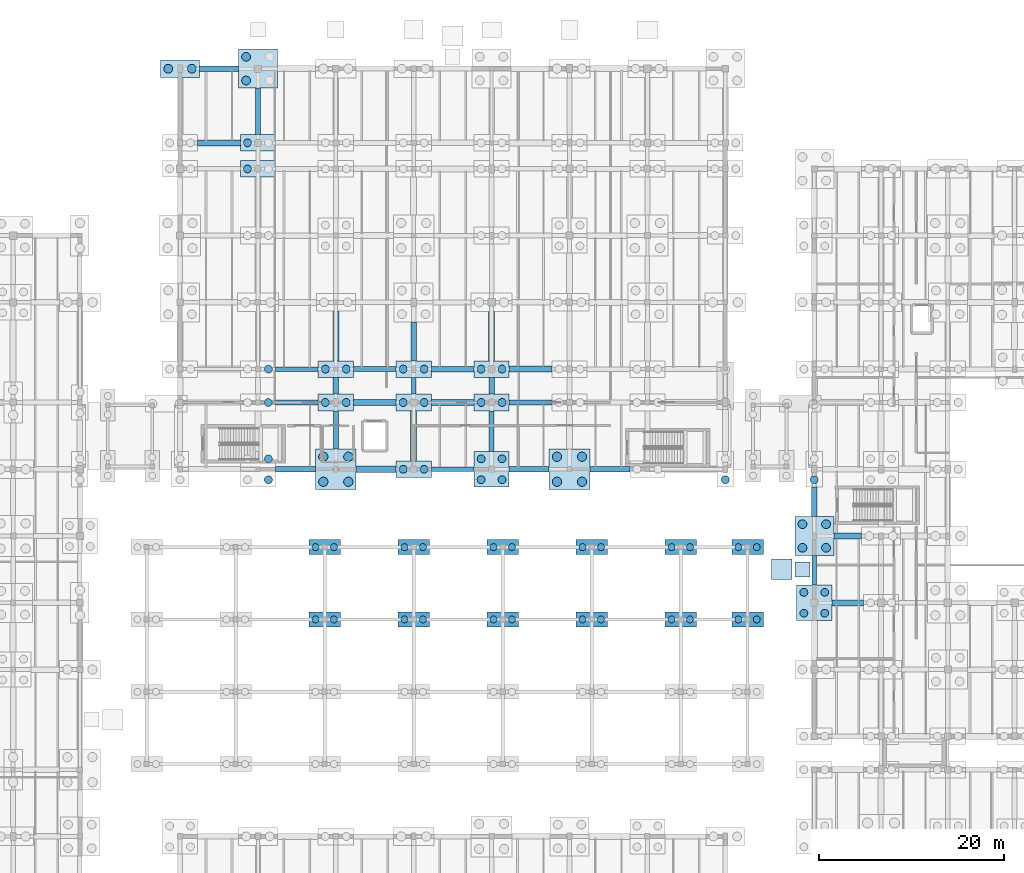
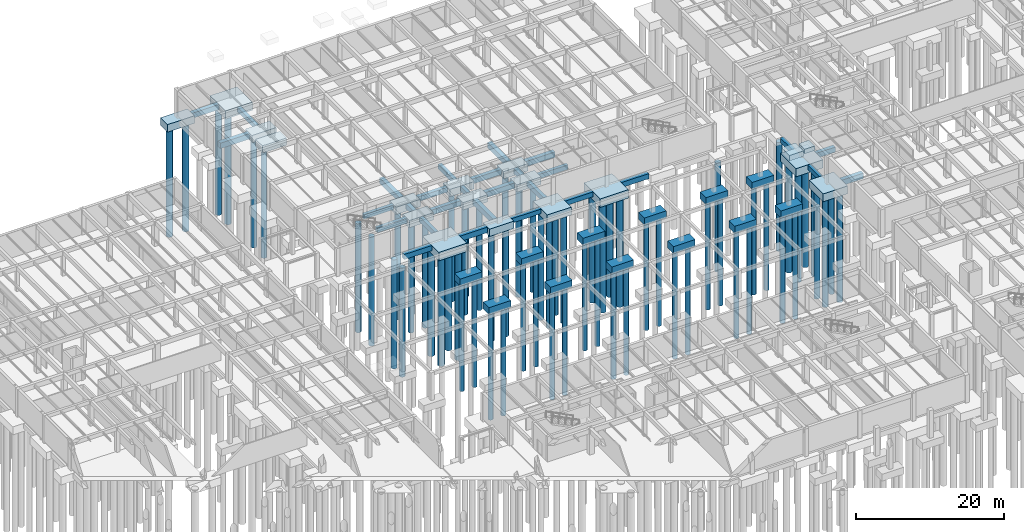
# One storey, part 9 of 63: 70 piles, 59 footings.
"""IFC4 building model written with IfcOpenShell, lengths in metres."""

from ifc_helpers import new_model, si_unit, direction, frame, origin, origin_2d, place, context, subcontext, project, spatial, rectangle, circle, extrude, material, material_profile, profile_set, type_object, element, save


model = new_model("IFC4")

# Units and contexts
model_context = context("Model", 3, precision=1e-05, world=origin(), true_north=direction((0.0, 1.0)))
body_context = subcontext(model_context, "Body", "Model", "MODEL_VIEW")
ifc_project = project(units=[si_unit("LENGTHUNIT", "METRE"), si_unit("AREAUNIT", "SQUARE_METRE"), si_unit("VOLUMEUNIT", "CUBIC_METRE"), si_unit("PLANEANGLEUNIT", "RADIAN"), si_unit("MASSUNIT", "GRAM", prefix="KILO")], contexts=[model_context])

# Site, building, storey
site_placement = place(None, origin())
site = spatial("IfcSite", under=ifc_project, at=site_placement, CompositionType="ELEMENT")
building_placement = place(site_placement, origin())
building = spatial("IfcBuilding", under=site, at=building_placement, Name="Mazaris Harbour Polytechnic", CompositionType="ELEMENT")
storey_placement = place(building_placement, frame((0.0, 0.0, -4.5)))
storey = spatial("IfcBuildingStorey", under=building, at=storey_placement, Name="B1", CompositionType="ELEMENT", Elevation=-4.5)

# Piles
ifc_material_1 = material(Name="Concrete C35/45", Category="concrete")
ifc_material_profile_1 = material_profile(ifc_material_1, circle(Radius=0.5, at=origin_2d()), Name="DIA1000")
ifc_profile_set_1 = profile_set([ifc_material_profile_1], Name="Concrete C35/45")
pile_type_1 = type_object("IfcPileType", Name="Bored Pile 1000", PredefinedType="BORED", material=ifc_profile_set_1)
for number, where, z_axis, x_axis, name in (
    (1, (69.449951171875, 74.25, -1.760009765625), (0.0, 0.0, -1.0), (1.0, 0.0, 0.0), "Bored Pile BP-017-1"),
    (2, (72.14990234375, 74.25, -1.760009765625), (0.0, 0.0, -1.0), (1.0, 0.0, 0.0), "Bored Pile BP-017-2"),
    (3, (69.449951171875, 76.949951171875, -1.760009765625), (0.0, 0.0, -1.0), (1.0, 0.0, 0.0), "Bored Pile BP-017-3"),
    (4, (72.14990234375, 76.949951171875, -1.760009765625), (0.0, 0.0, -1.0), (1.0, 0.0, 0.0), "Bored Pile BP-017-4"),
    (5, (94.64990234375, 74.25, -1.760009765625), (0.0, 0.0, -1.0), (1.0, 0.0, 0.0), "Bored Pile BP-041-1"),
    (6, (97.35009765625, 74.25, -1.760009765625), (0.0, 0.0, -1.0), (1.0, 0.0, 0.0), "Bored Pile BP-041-2"),
    (7, (94.64990234375, 76.949951171875, -1.760009765625), (0.0, 0.0, -1.0), (1.0, 0.0, 0.0), "Bored Pile BP-041-3"),
    (8, (97.35009765625, 76.949951171875, -1.760009765625), (0.0, 0.0, -1.0), (1.0, 0.0, 0.0), "Bored Pile BP-041-4"),
):
    element("IfcPile", number, at=place(storey_placement, frame(where, z_axis=z_axis, x_axis=x_axis)), inside=storey, type_object=pile_type_1, Name=name, PredefinedType="BORED", context=body_context, shape_type="SweptSolid", body=[
        extrude(circle(Radius=0.5, at=origin_2d()), origin(), (0.0, 0.0, 1.0), 18.0),
    ])
ifc_material_2 = material(Name="Concrete C35/45", Category="concrete")
ifc_material_profile_2 = material_profile(ifc_material_2, circle(Radius=0.375, at=origin_2d()), Name="DIA750")
ifc_profile_set_2 = profile_set([ifc_material_profile_2], Name="Concrete C35/45")
pile_type_2 = type_object("IfcPileType", Name="Bored Pile 750", PredefinedType="BORED", material=ifc_profile_set_2)
for number, where, z_axis, x_axis, name in (
    (9, (68.606201171875, 59.39990234375, -1.429931640625), (0.0, 0.0, -1.0), (1.0, 0.0, 0.0), "Bored Pile BP-350-1"),
    (10, (70.59375, 59.39990234375, -1.429931640625), (0.0, 0.0, -1.0), (1.0, 0.0, 0.0), "Bored Pile BP-350-2"),
    (11, (68.606201171875, 67.199951171875, -1.429931640625), (0.0, 0.0, -1.0), (1.0, 0.0, 0.0), "Bored Pile BP-351-1"),
    (12, (70.59375, 67.199951171875, -1.429931640625), (0.0, 0.0, -1.0), (1.0, 0.0, 0.0), "Bored Pile BP-351-2"),
    (13, (78.206298828125, 59.39990234375, -1.429931640625), (0.0, 0.0, -1.0), (1.0, 0.0, 0.0), "Bored Pile BP-354-1"),
    (14, (80.19384765625, 59.39990234375, -1.429931640625), (0.0, 0.0, -1.0), (1.0, 0.0, 0.0), "Bored Pile BP-354-2"),
    (15, (78.206298828125, 67.199951171875, -1.429931640625), (0.0, 0.0, -1.0), (1.0, 0.0, 0.0), "Bored Pile BP-355-1"),
    (16, (80.19384765625, 67.199951171875, -1.429931640625), (0.0, 0.0, -1.0), (1.0, 0.0, 0.0), "Bored Pile BP-355-2"),
    (17, (87.80615234375, 59.39990234375, -1.429931640625), (0.0, 0.0, -1.0), (1.0, 0.0, 0.0), "Bored Pile BP-358-1"),
    (18, (89.793701171875, 59.39990234375, -1.429931640625), (0.0, 0.0, -1.0), (1.0, 0.0, 0.0), "Bored Pile BP-358-2"),
    (19, (87.80615234375, 67.199951171875, -1.429931640625), (0.0, 0.0, -1.0), (1.0, 0.0, 0.0), "Bored Pile BP-359-1"),
    (20, (89.793701171875, 67.199951171875, -1.429931640625), (0.0, 0.0, -1.0), (1.0, 0.0, 0.0), "Bored Pile BP-359-2"),
    (21, (97.40625, 59.39990234375, -1.429931640625), (0.0, 0.0, -1.0), (1.0, 0.0, 0.0), "Bored Pile BP-362-1"),
    (22, (99.393798828125, 59.39990234375, -1.429931640625), (0.0, 0.0, -1.0), (1.0, 0.0, 0.0), "Bored Pile BP-362-2"),
    (23, (97.40625, 67.199951171875, -1.429931640625), (0.0, 0.0, -1.0), (1.0, 0.0, 0.0), "Bored Pile BP-363-1"),
    (24, (99.393798828125, 67.199951171875, -1.429931640625), (0.0, 0.0, -1.0), (1.0, 0.0, 0.0), "Bored Pile BP-363-2"),
    (25, (107.006103515625, 59.39990234375, -1.429931640625), (0.0, 0.0, -1.0), (1.0, 0.0, 0.0), "Bored Pile BP-366-1"),
    (26, (108.993896484375, 59.39990234375, -1.429931640625), (0.0, 0.0, -1.0), (1.0, 0.0, 0.0), "Bored Pile BP-366-2"),
    (27, (107.006103515625, 67.199951171875, -1.429931640625), (0.0, 0.0, -1.0), (1.0, 0.0, 0.0), "Bored Pile BP-367-1"),
    (28, (108.993896484375, 67.199951171875, -1.429931640625), (0.0, 0.0, -1.0), (1.0, 0.0, 0.0), "Bored Pile BP-367-2"),
    (29, (114.206298828125, 59.39990234375, -1.429931640625), (0.0, 0.0, -1.0), (1.0, 0.0, 0.0), "Bored Pile BP-370-1"),
    (30, (116.19384765625, 59.39990234375, -1.429931640625), (0.0, 0.0, -1.0), (1.0, 0.0, 0.0), "Bored Pile BP-370-2"),
    (31, (114.206298828125, 67.199951171875, -1.429931640625), (0.0, 0.0, -1.0), (1.0, 0.0, 0.0), "Bored Pile BP-371-1"),
    (32, (116.19384765625, 67.199951171875, -1.429931640625), (0.0, 0.0, -1.0), (1.0, 0.0, 0.0), "Bored Pile BP-371-2"),
):
    element("IfcPile", number, at=place(storey_placement, frame(where, z_axis=z_axis, x_axis=x_axis)), inside=storey, type_object=pile_type_2, Name=name, PredefinedType="BORED", context=body_context, shape_type="SweptSolid", body=[
        extrude(circle(Radius=0.375, at=origin_2d()), origin(), (0.0, 0.0, 1.0), 18.0),
    ])
ifc_material_3 = material(Name="Concrete C35/45", Category="concrete")
ifc_material_profile_3 = material_profile(ifc_material_3, circle(Radius=0.425048828125, at=origin_2d()), Name="DIA850")
ifc_profile_set_3 = profile_set([ifc_material_profile_3], Name="Concrete C35/45")
pile_type_3 = type_object("IfcPileType", Name="Bored Pile 850", PredefinedType="BORED", material=ifc_profile_set_3)
for number, where, z_axis, x_axis, name in (
    (33, (63.526123046875, 74.473876953125, -1.659912109375), (0.0, 0.0, -1.0), (1.0, 0.0, 0.0), "Bored Pile BP-009-2"),
    (34, (63.526123046875, 76.726318359375, -1.659912109375), (0.0, 0.0, -1.0), (1.0, 0.0, 0.0), "Bored Pile BP-009-4"),
    (35, (63.526123046875, 82.800048828125, -1.56005859375), (0.0, 0.0, -1.0), (1.0, 0.0, 0.0), "Bored Pile BP-010-2"),
    (36, (63.526123046875, 86.39990234375, -1.56005859375), (0.0, 0.0, -1.0), (1.0, 0.0, 0.0), "Bored Pile BP-011-2"),
    (37, (61.273681640625, 108.0, -1.56005859375), (0.0, 0.0, -1.0), (1.0, 0.0, 0.0), "Bored Pile BP-014-1"),
    (38, (61.273681640625, 110.800048828125, -1.56005859375), (0.0, 0.0, -1.0), (1.0, 0.0, 0.0), "Bored Pile BP-015-1"),
    (39, (69.673828125, 82.800048828125, -1.56005859375), (0.0, 0.0, -1.0), (1.0, 0.0, 0.0), "Bored Pile BP-018-1"),
    (40, (71.92626953125, 82.800048828125, -1.56005859375), (0.0, 0.0, -1.0), (1.0, 0.0, 0.0), "Bored Pile BP-018-2"),
    (41, (69.673828125, 86.39990234375, -1.56005859375), (0.0, 0.0, -1.0), (1.0, 0.0, 0.0), "Bored Pile BP-019-1"),
    (42, (71.92626953125, 86.39990234375, -1.56005859375), (0.0, 0.0, -1.0), (1.0, 0.0, 0.0), "Bored Pile BP-019-2"),
    (43, (78.07373046875, 75.60009765625, -1.56005859375), (0.0, 0.0, -1.0), (1.0, 0.0, 0.0), "Bored Pile BP-025-1"),
    (44, (80.326171875, 75.60009765625, -1.56005859375), (0.0, 0.0, -1.0), (1.0, 0.0, 0.0), "Bored Pile BP-025-2"),
    (45, (78.07373046875, 82.800048828125, -1.56005859375), (0.0, 0.0, -1.0), (1.0, 0.0, 0.0), "Bored Pile BP-026-1"),
    (46, (80.326171875, 82.800048828125, -1.56005859375), (0.0, 0.0, -1.0), (1.0, 0.0, 0.0), "Bored Pile BP-026-2"),
    (47, (78.07373046875, 86.39990234375, -1.56005859375), (0.0, 0.0, -1.0), (1.0, 0.0, 0.0), "Bored Pile BP-027-1"),
    (48, (80.326171875, 86.39990234375, -1.56005859375), (0.0, 0.0, -1.0), (1.0, 0.0, 0.0), "Bored Pile BP-027-2"),
    (49, (86.473876953125, 74.473876953125, -1.659912109375), (0.0, 0.0, -1.0), (1.0, 0.0, 0.0), "Bored Pile BP-033-1"),
    (50, (88.726318359375, 74.473876953125, -1.659912109375), (0.0, 0.0, -1.0), (1.0, 0.0, 0.0), "Bored Pile BP-033-2"),
    (51, (86.473876953125, 76.726318359375, -1.659912109375), (0.0, 0.0, -1.0), (1.0, 0.0, 0.0), "Bored Pile BP-033-3"),
    (52, (88.726318359375, 76.726318359375, -1.659912109375), (0.0, 0.0, -1.0), (1.0, 0.0, 0.0), "Bored Pile BP-033-4"),
    (53, (86.473876953125, 82.800048828125, -1.56005859375), (0.0, 0.0, -1.0), (1.0, 0.0, 0.0), "Bored Pile BP-034-1"),
    (54, (88.726318359375, 82.800048828125, -1.56005859375), (0.0, 0.0, -1.0), (1.0, 0.0, 0.0), "Bored Pile BP-034-2"),
    (55, (86.473876953125, 86.39990234375, -1.56005859375), (0.0, 0.0, -1.0), (1.0, 0.0, 0.0), "Bored Pile BP-035-1"),
    (56, (88.726318359375, 86.39990234375, -1.56005859375), (0.0, 0.0, -1.0), (1.0, 0.0, 0.0), "Bored Pile BP-035-2"),
    (57, (112.800048828125, 74.473876953125, -1.56005859375), (0.0, 0.0, -1.0), (1.0, 0.0, 0.0), "Bored Pile BP-057-1"),
    (58, (121.273681640625, 60.07373046875, -1.6201171875), (0.0, 0.0, -1.0), (1.0, 0.0, 0.0), "Bored Pile BP-242-1"),
    (59, (123.526123046875, 60.07373046875, -1.6201171875), (0.0, 0.0, -1.0), (1.0, 0.0, 0.0), "Bored Pile BP-242-2"),
    (60, (121.273681640625, 62.326171875, -1.6201171875), (0.0, 0.0, -1.0), (1.0, 0.0, 0.0), "Bored Pile BP-242-3"),
    (61, (123.526123046875, 62.326171875, -1.6201171875), (0.0, 0.0, -1.0), (1.0, 0.0, 0.0), "Bored Pile BP-242-4"),
    (62, (122.39990234375, 74.473876953125, -1.52001953125), (0.0, 0.0, -1.0), (1.0, 0.0, 0.0), "Bored Pile BP-244-1"),
):
    element("IfcPile", number, at=place(storey_placement, frame(where, z_axis=z_axis, x_axis=x_axis)), inside=storey, type_object=pile_type_3, Name=name, PredefinedType="BORED", context=body_context, shape_type="SweptSolid", body=[
        extrude(circle(Radius=0.425048828125, at=origin_2d()), origin(), (0.0, 0.0, 1.0), 18.0),
    ])
ifc_material_4 = material(Name="Concrete C35/45", Category="concrete")
ifc_material_profile_4 = material_profile(ifc_material_4, circle(Radius=0.47509765625, at=origin_2d()), Name="DIA950")
ifc_profile_set_4 = profile_set([ifc_material_profile_4], Name="Concrete C35/45")
pile_type_4 = type_object("IfcPileType", Name="Bored Pile 950", PredefinedType="BORED", material=ifc_profile_set_4)
for number, where, z_axis, x_axis, name in (
    (63, (52.72509765625, 118.800048828125, -1.610107421875), (0.0, 0.0, -1.0), (1.0, 0.0, 0.0), "Bored Pile BP-008-1"),
    (64, (55.27490234375, 118.800048828125, -1.610107421875), (0.0, 0.0, -1.0), (1.0, 0.0, 0.0), "Bored Pile BP-008-2"),
    (65, (61.125, 117.52490234375, -1.7099609375), (0.0, 0.0, -1.0), (1.0, 0.0, 0.0), "Bored Pile BP-016-1"),
    (66, (61.125, 120.074951171875, -1.7099609375), (0.0, 0.0, -1.0), (1.0, 0.0, 0.0), "Bored Pile BP-016-3"),
    (67, (121.125, 67.125, -1.669921875), (0.0, 0.0, -1.0), (1.0, 0.0, 0.0), "Bored Pile BP-243-1"),
    (68, (123.675048828125, 67.125, -1.669921875), (0.0, 0.0, -1.0), (1.0, 0.0, 0.0), "Bored Pile BP-243-2"),
    (69, (121.125, 69.675048828125, -1.669921875), (0.0, 0.0, -1.0), (1.0, 0.0, 0.0), "Bored Pile BP-243-3"),
    (70, (123.675048828125, 69.675048828125, -1.669921875), (0.0, 0.0, -1.0), (1.0, 0.0, 0.0), "Bored Pile BP-243-4"),
):
    element("IfcPile", number, at=place(storey_placement, frame(where, z_axis=z_axis, x_axis=x_axis)), inside=storey, type_object=pile_type_4, Name=name, PredefinedType="BORED", context=body_context, shape_type="SweptSolid", body=[
        extrude(circle(Radius=0.47509765625, at=origin_2d()), origin(), (0.0, 0.0, 1.0), 18.0),
    ])

# Footings
ifc_material_5 = material(Name="Concrete C35/45", Category="concrete")
footing_type_1 = type_object("IfcFootingType", Name="Pad Footing 1600x1600x750", PredefinedType="PAD_FOOTING", material=ifc_material_5)
footing_1_placement = place(storey_placement, frame((121.1298828125, 64.800048828125, 3.405029296875), z_axis=(0.0, 0.0, 1.0), x_axis=(1.0, 0.0, 0.0)))
element("IfcFooting", 71, at=footing_1_placement, inside=storey, type_object=footing_type_1, Name="RAMP-04 Top Landing Footing", PredefinedType="PAD_FOOTING", context=body_context, shape_type="SweptSolid", body=[
    extrude(rectangle(XDim=1.60009765625, YDim=1.60009765625, at=origin_2d()), origin(), (0.0, 0.0, 1.0), 0.75),
])
ifc_material_6 = material(Name="Concrete C35/45", Category="concrete")
footing_type_2 = type_object("IfcFootingType", Name="Pad Footing 2200x2200x900", PredefinedType="PAD_FOOTING", material=ifc_material_6)
footing_2_placement = place(storey_placement, frame((118.8798828125, 64.800048828125, 3.300048828125), z_axis=(0.0, 0.0, 1.0), x_axis=(1.0, 0.0, 0.0)))
element("IfcFooting", 72, at=footing_2_placement, inside=storey, type_object=footing_type_2, Name="RAMP-04 Bottom Landing Footing", PredefinedType="PAD_FOOTING", context=body_context, shape_type="SweptSolid", body=[
    extrude(rectangle(XDim=2.199951171875, YDim=2.199951171875, at=origin_2d()), origin(), (0.0, 0.0, 1.0), 0.89990234375),
])
ifc_material_7 = material(Name="Concrete C35/45", Category="concrete")
footing_type_3 = type_object("IfcFootingType", Name="Pile Cap 3400x1600x1150", PredefinedType="PILE_CAP", material=ifc_material_7)
for number, where, z_axis, x_axis, name in (
    (73, (69.60009765625, 59.39990234375, -1.530029296875), (0.0, 0.0, 1.0), (1.0, 0.0, 0.0), "Pile Cap CAP-350"),
    (74, (69.60009765625, 67.199951171875, -1.530029296875), (0.0, 0.0, 1.0), (1.0, 0.0, 0.0), "Pile Cap CAP-351"),
    (75, (79.199951171875, 59.39990234375, -1.530029296875), (0.0, 0.0, 1.0), (1.0, 0.0, 0.0), "Pile Cap CAP-354"),
    (76, (79.199951171875, 67.199951171875, -1.530029296875), (0.0, 0.0, 1.0), (1.0, 0.0, 0.0), "Pile Cap CAP-355"),
    (77, (88.800048828125, 59.39990234375, -1.530029296875), (0.0, 0.0, 1.0), (1.0, 0.0, 0.0), "Pile Cap CAP-358"),
    (78, (88.800048828125, 67.199951171875, -1.530029296875), (0.0, 0.0, 1.0), (1.0, 0.0, 0.0), "Pile Cap CAP-359"),
    (79, (98.39990234375, 59.39990234375, -1.530029296875), (0.0, 0.0, 1.0), (1.0, 0.0, 0.0), "Pile Cap CAP-362"),
    (80, (98.39990234375, 67.199951171875, -1.530029296875), (0.0, 0.0, 1.0), (1.0, 0.0, 0.0), "Pile Cap CAP-363"),
    (81, (108.0, 59.39990234375, -1.530029296875), (0.0, 0.0, 1.0), (1.0, 0.0, 0.0), "Pile Cap CAP-366"),
    (82, (108.0, 67.199951171875, -1.530029296875), (0.0, 0.0, 1.0), (1.0, 0.0, 0.0), "Pile Cap CAP-367"),
    (83, (115.199951171875, 59.39990234375, -1.530029296875), (0.0, 0.0, 1.0), (1.0, 0.0, 0.0), "Pile Cap CAP-370"),
    (84, (115.199951171875, 67.199951171875, -1.530029296875), (0.0, 0.0, 1.0), (1.0, 0.0, 0.0), "Pile Cap CAP-371"),
):
    element("IfcFooting", number, at=place(storey_placement, frame(where, z_axis=z_axis, x_axis=x_axis)), inside=storey, type_object=footing_type_3, Name=name, PredefinedType="PILE_CAP", context=body_context, shape_type="SweptSolid", body=[
        extrude(rectangle(XDim=3.39990234375, YDim=1.60009765625, at=origin_2d()), origin(), (0.0, 0.0, 1.0), 1.14990234375),
    ])
ifc_material_8 = material(Name="Concrete C35/45", Category="concrete")
footing_type_4 = type_object("IfcFootingType", Name="Pile Cap 3800x1800x1200", PredefinedType="PILE_CAP", material=ifc_material_8)
for number, where, z_axis, x_axis, name in (
    (85, (62.39990234375, 108.0, -1.66015625), (0.0, 0.0, 1.0), (1.0, 0.0, 0.0), "Pile Cap CAP-014"),
    (86, (62.39990234375, 110.800048828125, -1.66015625), (0.0, 0.0, 1.0), (1.0, 0.0, 0.0), "Pile Cap CAP-015"),
    (87, (70.800048828125, 82.800048828125, -1.66015625), (0.0, 0.0, 1.0), (1.0, 0.0, 0.0), "Pile Cap CAP-018"),
    (88, (70.800048828125, 86.39990234375, -1.66015625), (0.0, 0.0, 1.0), (1.0, 0.0, 0.0), "Pile Cap CAP-019"),
    (89, (79.199951171875, 75.60009765625, -1.66015625), (0.0, 0.0, 1.0), (1.0, 0.0, 0.0), "Pile Cap CAP-025"),
    (90, (79.199951171875, 82.800048828125, -1.66015625), (0.0, 0.0, 1.0), (1.0, 0.0, 0.0), "Pile Cap CAP-026"),
    (91, (79.199951171875, 86.39990234375, -1.66015625), (0.0, 0.0, 1.0), (1.0, 0.0, 0.0), "Pile Cap CAP-027"),
    (92, (87.60009765625, 82.800048828125, -1.66015625), (0.0, 0.0, 1.0), (1.0, 0.0, 0.0), "Pile Cap CAP-034"),
    (93, (87.60009765625, 86.39990234375, -1.66015625), (0.0, 0.0, 1.0), (1.0, 0.0, 0.0), "Pile Cap CAP-035"),
):
    element("IfcFooting", number, at=place(storey_placement, frame(where, z_axis=z_axis, x_axis=x_axis)), inside=storey, type_object=footing_type_4, Name=name, PredefinedType="PILE_CAP", context=body_context, shape_type="SweptSolid", body=[
        extrude(rectangle(XDim=3.800048828125, YDim=1.800048828125, at=origin_2d()), origin(), (0.0, 0.0, 1.0), 1.199951171875),
    ])
ifc_material_9 = material(Name="Concrete C35/45", Category="concrete")
footing_type_5 = type_object("IfcFootingType", Name="Pile Cap 3800x3800x1300", PredefinedType="PILE_CAP", material=ifc_material_9)
for number, where, z_axis, x_axis, name in (
    (94, (87.60009765625, 75.60009765625, -1.76025390625), (0.0, 0.0, 1.0), (1.0, 0.0, 0.0), "Pile Cap CAP-033"),
    (95, (122.39990234375, 61.199951171875, -1.72021484375), (0.0, 0.0, 1.0), (1.0, 0.0, 0.0), "Pile Cap CAP-242"),
):
    element("IfcFooting", number, at=place(storey_placement, frame(where, z_axis=z_axis, x_axis=x_axis)), inside=storey, type_object=footing_type_5, Name=name, PredefinedType="PILE_CAP", context=body_context, shape_type="SweptSolid", body=[
        extrude(rectangle(XDim=3.800048828125, YDim=3.800048828125, at=origin_2d()), origin(), (0.0, 0.0, 1.0), 1.300048828125),
    ])
ifc_material_10 = material(Name="Concrete C35/45", Category="concrete")
footing_type_6 = type_object("IfcFootingType", Name="Pile Cap 4200x1900x1250", PredefinedType="PILE_CAP", material=ifc_material_10)
footing_3_placement = place(storey_placement, frame((54.0, 118.800048828125, -1.7099609375), z_axis=(0.0, 0.0, 1.0), x_axis=(1.0, 0.0, 0.0)))
element("IfcFooting", 96, at=footing_3_placement, inside=storey, type_object=footing_type_6, Name="Pile Cap CAP-008", PredefinedType="PILE_CAP", context=body_context, shape_type="SweptSolid", body=[
    extrude(rectangle(XDim=4.199951171875, YDim=1.89990234375, at=origin_2d()), origin(), (0.0, 0.0, 1.0), 1.25),
])
ifc_material_11 = material(Name="Concrete C35/45", Category="concrete")
footing_type_7 = type_object("IfcFootingType", Name="Pile Cap 4200x4200x1350", PredefinedType="PILE_CAP", material=ifc_material_11)
for number, where, z_axis, x_axis, name in (
    (97, (62.39990234375, 118.800048828125, -1.81005859375), (0.0, 0.0, 1.0), (1.0, 0.0, 0.0), "Pile Cap CAP-016"),
    (98, (122.39990234375, 68.39990234375, -1.77001953125), (0.0, 0.0, 1.0), (1.0, 0.0, 0.0), "Pile Cap CAP-243"),
):
    element("IfcFooting", number, at=place(storey_placement, frame(where, z_axis=z_axis, x_axis=x_axis)), inside=storey, type_object=footing_type_7, Name=name, PredefinedType="PILE_CAP", context=body_context, shape_type="SweptSolid", body=[
        extrude(rectangle(XDim=4.199951171875, YDim=4.199951171875, at=origin_2d()), origin(), (0.0, 0.0, 1.0), 1.35009765625),
    ])
ifc_material_12 = material(Name="Concrete C35/45", Category="concrete")
footing_type_8 = type_object("IfcFootingType", Name="Pile Cap 4400x4400x1400", PredefinedType="PILE_CAP", material=ifc_material_12)
for number, where, z_axis, x_axis, name in (
    (99, (70.800048828125, 75.60009765625, -1.85986328125), (0.0, 0.0, 1.0), (1.0, 0.0, 0.0), "Pile Cap CAP-017"),
    (100, (96.0, 75.60009765625, -1.85986328125), (0.0, 0.0, 1.0), (1.0, 0.0, 0.0), "Pile Cap CAP-041"),
):
    element("IfcFooting", number, at=place(storey_placement, frame(where, z_axis=z_axis, x_axis=x_axis)), inside=storey, type_object=footing_type_8, Name=name, PredefinedType="PILE_CAP", context=body_context, shape_type="SweptSolid", body=[
        extrude(rectangle(XDim=4.39990234375, YDim=4.39990234375, at=origin_2d()), origin(), (0.0, 0.0, 1.0), 1.39990234375),
    ])
ifc_material_13 = material(Name="Concrete C35/45", Category="concrete")
ifc_material_profile_5 = material_profile(ifc_material_13, rectangle(XDim=0.5, YDim=0.75, at=origin_2d()), Name="RECT500x750")
ifc_profile_set_5 = profile_set([ifc_material_profile_5], Name="Concrete C35/45")
footing_type_9 = type_object("IfcFootingType", Name="Seismic Tie Beam 500x750", PredefinedType="FOOTING_BEAM", material=ifc_profile_set_5)
footing_4_placement = place(storey_placement, frame((81.10009765625, 75.60009765625, -0.8349609375), z_axis=(1.0, 0.0, 0.0), x_axis=(0.0, 1.0, 0.0)))
element("IfcFooting", 101, at=footing_4_placement, inside=storey, type_object=footing_type_9, Name="Seismic Tie Beam FTB-004", PredefinedType="FOOTING_BEAM", context=body_context, shape_type="SweptSolid", body=[
    extrude(rectangle(XDim=0.5, YDim=0.75, at=origin_2d()), origin(), (0.0, 0.0, 1.0), 4.599853515625),
])
footing_5_placement = place(storey_placement, frame((89.5, 82.800048828125, -0.8349609375), z_axis=(1.0, 0.0, 0.0), x_axis=(0.0, 1.0, 0.0)))
element("IfcFooting", 102, at=footing_5_placement, inside=storey, type_object=footing_type_9, Name="Seismic Tie Beam FTB-012", PredefinedType="FOOTING_BEAM", context=body_context, shape_type="SweptSolid", body=[
    extrude(rectangle(XDim=0.5, YDim=0.75, at=origin_2d()), origin(), (0.0, 0.0, 1.0), 4.60009765625),
])
footing_6_placement = place(storey_placement, frame((64.300048828125, 86.39990234375, -0.8349609375), z_axis=(1.0, 0.0, 0.0), x_axis=(0.0, 1.0, 0.0)))
element("IfcFooting", 103, at=footing_6_placement, inside=storey, type_object=footing_type_9, Name="Seismic Tie Beam FTB-016", PredefinedType="FOOTING_BEAM", context=body_context, shape_type="SweptSolid", body=[
    extrude(rectangle(XDim=0.5, YDim=0.75, at=origin_2d()), origin(), (0.0, 0.0, 1.0), 4.599853515625),
])
footing_7_placement = place(storey_placement, frame((62.39990234375, 111.699951171875, -0.8349609375), z_axis=(0.0, 1.0, 0.0), x_axis=(-1.0, 0.0, 0.0)))
element("IfcFooting", 104, at=footing_7_placement, inside=storey, type_object=footing_type_9, Name="Seismic Tie Beam FTB-068", PredefinedType="FOOTING_BEAM", context=body_context, shape_type="SweptSolid", body=[
    extrude(rectangle(XDim=0.5, YDim=0.75, at=origin_2d()), origin(), (0.0, 0.0, 1.0), 5.0),
])
footing_8_placement = place(storey_placement, frame((79.199951171875, 83.699951171875, -0.8349609375), z_axis=(0.0, 1.0, 0.0), x_axis=(-1.0, 0.0, 0.0)))
element("IfcFooting", 105, at=footing_8_placement, inside=storey, type_object=footing_type_9, Name="Seismic Tie Beam FTB-076", PredefinedType="FOOTING_BEAM", context=body_context, shape_type="SweptSolid", body=[
    extrude(rectangle(XDim=0.5, YDim=0.75, at=origin_2d()), origin(), (0.0, 0.0, 1.0), 1.800048828125),
])
footing_9_placement = place(storey_placement, frame((122.39990234375, 63.10009765625, -0.8349609375), z_axis=(0.0, 1.0, 0.0), x_axis=(-1.0, 0.0, 0.0)))
element("IfcFooting", 106, at=footing_9_placement, inside=storey, type_object=footing_type_9, Name="Seismic Tie Beam FTB-468", PredefinedType="FOOTING_BEAM", context=body_context, shape_type="SweptSolid", body=[
    extrude(rectangle(XDim=0.5, YDim=0.75, at=origin_2d()), origin(), (0.0, 0.0, 1.0), 3.199951171875),
])
ifc_material_14 = material(Name="Concrete C35/45", Category="concrete")
ifc_material_profile_6 = material_profile(ifc_material_14, rectangle(XDim=0.550048828125, YDim=0.800048828125, at=origin_2d()), Name="RECT550x800")
ifc_profile_set_6 = profile_set([ifc_material_profile_6], Name="Concrete C35/45")
footing_type_10 = type_object("IfcFootingType", Name="Seismic Tie Beam 550x800", PredefinedType="FOOTING_BEAM", material=ifc_profile_set_6)
footing_10_placement = place(storey_placement, frame((89.5, 75.60009765625, -0.860107421875), z_axis=(1.0, 0.0, 0.0), x_axis=(0.0, 1.0, 0.0)))
element("IfcFooting", 107, at=footing_10_placement, inside=storey, type_object=footing_type_10, Name="Seismic Tie Beam FTB-005", PredefinedType="FOOTING_BEAM", context=body_context, shape_type="SweptSolid", body=[
    extrude(rectangle(XDim=0.550048828125, YDim=0.800048828125, at=origin_2d()), origin(), (0.0, 0.0, 1.0), 4.300048828125),
])
footing_11_placement = place(storey_placement, frame((64.300048828125, 82.800048828125, -0.860107421875), z_axis=(1.0, 0.0, 0.0), x_axis=(0.0, 1.0, 0.0)))
element("IfcFooting", 108, at=footing_11_placement, inside=storey, type_object=footing_type_10, Name="Seismic Tie Beam FTB-009", PredefinedType="FOOTING_BEAM", context=body_context, shape_type="SweptSolid", body=[
    extrude(rectangle(XDim=0.550048828125, YDim=0.800048828125, at=origin_2d()), origin(), (0.0, 0.0, 1.0), 4.599853515625),
])
footing_12_placement = place(storey_placement, frame((72.699951171875, 86.39990234375, -0.860107421875), z_axis=(1.0, 0.0, 0.0), x_axis=(0.0, 1.0, 0.0)))
element("IfcFooting", 109, at=footing_12_placement, inside=storey, type_object=footing_type_10, Name="Seismic Tie Beam FTB-017", PredefinedType="FOOTING_BEAM", context=body_context, shape_type="SweptSolid", body=[
    extrude(rectangle(XDim=0.550048828125, YDim=0.800048828125, at=origin_2d()), origin(), (0.0, 0.0, 1.0), 4.60009765625),
])
footing_13_placement = place(storey_placement, frame((70.800048828125, 77.800048828125, -0.860107421875), z_axis=(0.0, 1.0, 0.0), x_axis=(-1.0, 0.0, 0.0)))
element("IfcFooting", 110, at=footing_13_placement, inside=storey, type_object=footing_type_10, Name="Seismic Tie Beam FTB-069", PredefinedType="FOOTING_BEAM", context=body_context, shape_type="SweptSolid", body=[
    extrude(rectangle(XDim=0.550048828125, YDim=0.800048828125, at=origin_2d()), origin(), (0.0, 0.0, 1.0), 4.099853515625),
])
footing_14_placement = place(storey_placement, frame((79.199951171875, 87.300048828125, -0.860107421875), z_axis=(0.0, 1.0, 0.0), x_axis=(-1.0, 0.0, 0.0)))
element("IfcFooting", 111, at=footing_14_placement, inside=storey, type_object=footing_type_10, Name="Seismic Tie Beam FTB-077", PredefinedType="FOOTING_BEAM", context=body_context, shape_type="SweptSolid", body=[
    extrude(rectangle(XDim=0.550048828125, YDim=0.800048828125, at=origin_2d()), origin(), (0.0, 0.0, 1.0), 4.199951171875),
])
footing_15_placement = place(storey_placement, frame((87.60009765625, 77.5, -0.860107421875), z_axis=(0.0, 1.0, 0.0), x_axis=(-1.0, 0.0, 0.0)))
element("IfcFooting", 112, at=footing_15_placement, inside=storey, type_object=footing_type_10, Name="Seismic Tie Beam FTB-081", PredefinedType="FOOTING_BEAM", context=body_context, shape_type="SweptSolid", body=[
    extrude(rectangle(XDim=0.550048828125, YDim=0.800048828125, at=origin_2d()), origin(), (0.0, 0.0, 1.0), 4.39990234375),
])
footing_16_placement = place(storey_placement, frame((122.39990234375, 70.5, -0.860107421875), z_axis=(0.0, 1.0, 0.0), x_axis=(-1.0, 0.0, 0.0)))
element("IfcFooting", 113, at=footing_16_placement, inside=storey, type_object=footing_type_10, Name="Seismic Tie Beam FTB-469", PredefinedType="FOOTING_BEAM", context=body_context, shape_type="SweptSolid", body=[
    extrude(rectangle(XDim=0.550048828125, YDim=0.800048828125, at=origin_2d()), origin(), (0.0, 0.0, 1.0), 3.199951171875),
])
ifc_material_15 = material(Name="Concrete C35/45", Category="concrete")
ifc_material_profile_7 = material_profile(ifc_material_15, rectangle(XDim=0.60009765625, YDim=0.85009765625, at=origin_2d()), Name="RECT600x850")
ifc_profile_set_7 = profile_set([ifc_material_profile_7], Name="Concrete C35/45")
footing_type_11 = type_object("IfcFootingType", Name="Seismic Tie Beam 600x850", PredefinedType="FOOTING_BEAM", material=ifc_profile_set_7)
for number, where, z_axis, x_axis, name in (
    (114, (64.300048828125, 75.60009765625, -0.885009765625), (1.0, 0.0, 0.0), (0.0, 1.0, 0.0), "Seismic Tie Beam FTB-002"),
    (115, (98.199951171875, 75.60009765625, -0.885009765625), (1.0, 0.0, 0.0), (0.0, 1.0, 0.0), "Seismic Tie Beam FTB-006"),
):
    element("IfcFooting", number, at=place(storey_placement, frame(where, z_axis=z_axis, x_axis=x_axis)), inside=storey, type_object=footing_type_11, Name=name, PredefinedType="FOOTING_BEAM", context=body_context, shape_type="SweptSolid", body=[
        extrude(rectangle(XDim=0.60009765625, YDim=0.85009765625, at=origin_2d()), origin(), (0.0, 0.0, 1.0), 4.300048828125),
    ])
footing_17_placement = place(storey_placement, frame((72.699951171875, 82.800048828125, -0.885009765625), z_axis=(1.0, 0.0, 0.0), x_axis=(0.0, 1.0, 0.0)))
element("IfcFooting", 116, at=footing_17_placement, inside=storey, type_object=footing_type_11, Name="Seismic Tie Beam FTB-010", PredefinedType="FOOTING_BEAM", context=body_context, shape_type="SweptSolid", body=[
    extrude(rectangle(XDim=0.60009765625, YDim=0.85009765625, at=origin_2d()), origin(), (0.0, 0.0, 1.0), 4.60009765625),
])
footing_18_placement = place(storey_placement, frame((81.10009765625, 86.39990234375, -0.885009765625), z_axis=(1.0, 0.0, 0.0), x_axis=(0.0, 1.0, 0.0)))
element("IfcFooting", 117, at=footing_18_placement, inside=storey, type_object=footing_type_11, Name="Seismic Tie Beam FTB-018", PredefinedType="FOOTING_BEAM", context=body_context, shape_type="SweptSolid", body=[
    extrude(rectangle(XDim=0.60009765625, YDim=0.85009765625, at=origin_2d()), origin(), (0.0, 0.0, 1.0), 4.599853515625),
])
footing_19_placement = place(storey_placement, frame((56.10009765625, 118.800048828125, -0.885009765625), z_axis=(1.0, 0.0, 0.0), x_axis=(0.0, 1.0, 0.0)))
element("IfcFooting", 118, at=footing_19_placement, inside=storey, type_object=footing_type_11, Name="Seismic Tie Beam FTB-050", PredefinedType="FOOTING_BEAM", context=body_context, shape_type="SweptSolid", body=[
    extrude(rectangle(XDim=0.60009765625, YDim=0.85009765625, at=origin_2d()), origin(), (0.0, 0.0, 1.0), 4.199951171875),
])
for number, where, z_axis, x_axis, name in (
    (119, (70.800048828125, 83.699951171875, -0.885009765625), (0.0, 1.0, 0.0), (-1.0, 0.0, 0.0), "Seismic Tie Beam FTB-070"),
    (120, (87.60009765625, 83.699951171875, -0.885009765625), (0.0, 1.0, 0.0), (-1.0, 0.0, 0.0), "Seismic Tie Beam FTB-082"),
):
    element("IfcFooting", number, at=place(storey_placement, frame(where, z_axis=z_axis, x_axis=x_axis)), inside=storey, type_object=footing_type_11, Name=name, PredefinedType="FOOTING_BEAM", context=body_context, shape_type="SweptSolid", body=[
        extrude(rectangle(XDim=0.60009765625, YDim=0.85009765625, at=origin_2d()), origin(), (0.0, 0.0, 1.0), 1.800048828125),
    ])
footing_20_placement = place(storey_placement, frame((124.5, 68.39990234375, -0.885009765625), z_axis=(1.0, 0.0, 0.0), x_axis=(0.0, 1.0, 0.0)))
element("IfcFooting", 121, at=footing_20_placement, inside=storey, type_object=footing_type_11, Name="Seismic Tie Beam FTB-426", PredefinedType="FOOTING_BEAM", context=body_context, shape_type="SweptSolid", body=[
    extrude(rectangle(XDim=0.60009765625, YDim=0.85009765625, at=origin_2d()), origin(), (0.0, 0.0, 1.0), 3.0),
])
ifc_material_16 = material(Name="Concrete C35/45", Category="concrete")
ifc_material_profile_8 = material_profile(ifc_material_16, rectangle(XDim=0.64990234375, YDim=0.89990234375, at=origin_2d()), Name="RECT650x900")
ifc_profile_set_8 = profile_set([ifc_material_profile_8], Name="Concrete C35/45")
footing_type_12 = type_object("IfcFootingType", Name="Seismic Tie Beam 650x900", PredefinedType="FOOTING_BEAM", material=ifc_profile_set_8)
footing_21_placement = place(storey_placement, frame((73.0, 75.60009765625, -0.909912109375), z_axis=(1.0, 0.0, 0.0), x_axis=(0.0, 1.0, 0.0)))
element("IfcFooting", 122, at=footing_21_placement, inside=storey, type_object=footing_type_12, Name="Seismic Tie Beam FTB-003", PredefinedType="FOOTING_BEAM", context=body_context, shape_type="SweptSolid", body=[
    extrude(rectangle(XDim=0.64990234375, YDim=0.89990234375, at=origin_2d()), origin(), (0.0, 0.0, 1.0), 4.300048828125),
])
footing_22_placement = place(storey_placement, frame((81.10009765625, 82.800048828125, -0.909912109375), z_axis=(1.0, 0.0, 0.0), x_axis=(0.0, 1.0, 0.0)))
element("IfcFooting", 123, at=footing_22_placement, inside=storey, type_object=footing_type_12, Name="Seismic Tie Beam FTB-011", PredefinedType="FOOTING_BEAM", context=body_context, shape_type="SweptSolid", body=[
    extrude(rectangle(XDim=0.64990234375, YDim=0.89990234375, at=origin_2d()), origin(), (0.0, 0.0, 1.0), 4.599853515625),
])
for number, where, z_axis, x_axis, name in (
    (124, (89.5, 86.39990234375, -0.909912109375), (1.0, 0.0, 0.0), (0.0, 1.0, 0.0), "Seismic Tie Beam FTB-019"),
    (125, (55.89990234375, 110.800048828125, -0.909912109375), (1.0, 0.0, 0.0), (0.0, 1.0, 0.0), "Seismic Tie Beam FTB-043"),
):
    element("IfcFooting", number, at=place(storey_placement, frame(where, z_axis=z_axis, x_axis=x_axis)), inside=storey, type_object=footing_type_12, Name=name, PredefinedType="FOOTING_BEAM", context=body_context, shape_type="SweptSolid", body=[
        extrude(rectangle(XDim=0.64990234375, YDim=0.89990234375, at=origin_2d()), origin(), (0.0, 0.0, 1.0), 4.60009765625),
    ])
footing_23_placement = place(storey_placement, frame((70.800048828125, 87.300048828125, -0.909912109375), z_axis=(0.0, 1.0, 0.0), x_axis=(-1.0, 0.0, 0.0)))
element("IfcFooting", 126, at=footing_23_placement, inside=storey, type_object=footing_type_12, Name="Seismic Tie Beam FTB-071", PredefinedType="FOOTING_BEAM", context=body_context, shape_type="SweptSolid", body=[
    extrude(rectangle(XDim=0.64990234375, YDim=0.89990234375, at=origin_2d()), origin(), (0.0, 0.0, 1.0), 5.349853515625),
])
footing_24_placement = place(storey_placement, frame((79.199951171875, 76.5, -0.909912109375), z_axis=(0.0, 1.0, 0.0), x_axis=(-1.0, 0.0, 0.0)))
element("IfcFooting", 127, at=footing_24_placement, inside=storey, type_object=footing_type_12, Name="Seismic Tie Beam FTB-075", PredefinedType="FOOTING_BEAM", context=body_context, shape_type="SweptSolid", body=[
    extrude(rectangle(XDim=0.64990234375, YDim=0.89990234375, at=origin_2d()), origin(), (0.0, 0.0, 1.0), 5.39990234375),
])
footing_25_placement = place(storey_placement, frame((87.60009765625, 87.300048828125, -0.909912109375), z_axis=(0.0, 1.0, 0.0), x_axis=(-1.0, 0.0, 0.0)))
element("IfcFooting", 128, at=footing_25_placement, inside=storey, type_object=footing_type_12, Name="Seismic Tie Beam FTB-083", PredefinedType="FOOTING_BEAM", context=body_context, shape_type="SweptSolid", body=[
    extrude(rectangle(XDim=0.64990234375, YDim=0.89990234375, at=origin_2d()), origin(), (0.0, 0.0, 1.0), 5.300048828125),
])
footing_26_placement = place(storey_placement, frame((124.300048828125, 61.199951171875, -0.909912109375), z_axis=(1.0, 0.0, 0.0), x_axis=(0.0, 1.0, 0.0)))
element("IfcFooting", 129, at=footing_26_placement, inside=storey, type_object=footing_type_12, Name="Seismic Tie Beam FTB-419", PredefinedType="FOOTING_BEAM", context=body_context, shape_type="SweptSolid", body=[
    extrude(rectangle(XDim=0.64990234375, YDim=0.89990234375, at=origin_2d()), origin(), (0.0, 0.0, 1.0), 3.39990234375),
])

save(model, "model.ifc")
